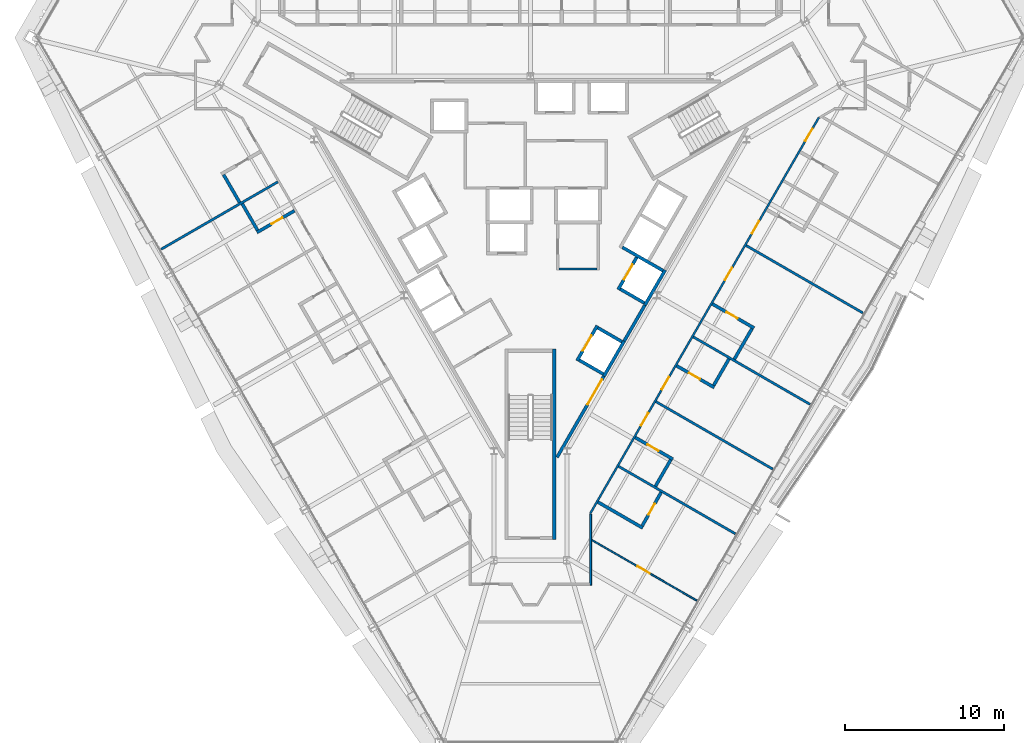
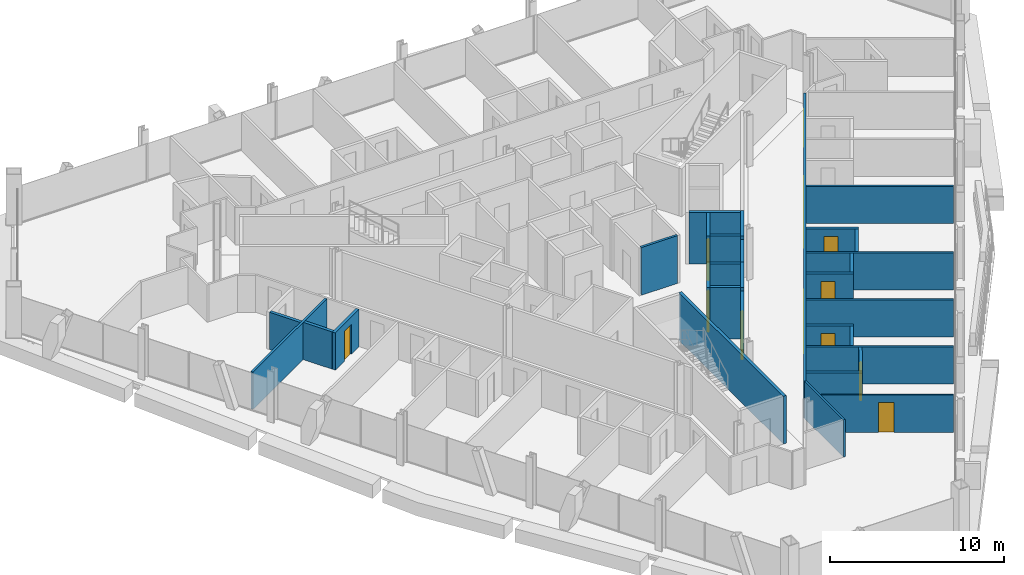
# One storey, part 14 of 20: 31 walls, 14 doors, 14 openings.
"""IFC4 building model written with IfcOpenShell, lengths in metres."""

from ifc_helpers import new_model, si_unit, direction, frame, frame_2d, origin, place, context, subcontext, project, spatial, rectangle, extrude, material, layer, layer_set, type_object, element, fill, save


model = new_model("IFC4")

# Units and contexts
model_context = context("Model", 3, precision=1e-05, world=origin(), true_north=direction((0.0, 1.0)))
body_context = subcontext(model_context, "Body", "Model", "MODEL_VIEW")
ifc_project = project(units=[si_unit("LENGTHUNIT", "METRE"), si_unit("AREAUNIT", "SQUARE_METRE"), si_unit("VOLUMEUNIT", "CUBIC_METRE"), si_unit("PLANEANGLEUNIT", "RADIAN"), si_unit("MASSUNIT", "GRAM", prefix="KILO")], contexts=[model_context])

# Site, building, storey
site_placement = place(None, origin())
site = spatial("IfcSite", under=ifc_project, at=site_placement, CompositionType="ELEMENT")
building_placement = place(site_placement, origin())
building = spatial("IfcBuilding", under=site, at=building_placement, Name="Verrane Prism Tower", CompositionType="ELEMENT")
storey_placement = place(building_placement, frame((0.0, 0.0, 69.199951171875)))
storey = spatial("IfcBuildingStorey", under=building, at=storey_placement, Name="L15", CompositionType="ELEMENT", Elevation=69.199951171875)

# Wall, opening, door
ifc_material_1 = material(Name="Gypsum board partition", Category="other")
ifc_layer_1 = layer(ifc_material_1, 0.199951171875)
ifc_layer_set_1 = layer_set([ifc_layer_1], Name="CW-200 core boundary wall 2 h")
wall_type_1 = type_object("IfcWallType", Name="CW-200 core boundary wall 2 h", PredefinedType="PARTITIONING", material=ifc_layer_set_1)
wall_1_placement = place(storey_placement, frame((1.677490234375, -14.814697265625, 0.0), z_axis=(0.0, 0.0, 1.0), x_axis=(0.49999445743, 0.866028603765, 0.0)))
wall_1 = element("IfcWall", 1, at=wall_1_placement, inside=storey, type_object=wall_type_1, Name="Core boundary wall CW3-003", PredefinedType="PARTITIONING", context=body_context, shape_type="SweptSolid", body=[
    extrude(rectangle(XDim=5.90478515625, YDim=0.199951171875, at=frame_2d((2.952392578125, 0.0))), origin(), (0.0, 0.0, 1.0), 3.35009765625),
])
opening_1_placement = place(wall_1_placement, frame((3.85498046875, 0.0, 0.0)))
opening_1 = element("IfcOpeningElement", 2, at=opening_1_placement, cuts=wall_1, Name="Opening D14517", PredefinedType="OPENING", context=body_context, shape_type="SweptSolid", body=[
    extrude(rectangle(XDim=1.800048828125, YDim=2.10009765625, at=frame_2d((0.89990234375, 1.050048828125))), frame((0.0, 0.10986328125, 0.0), z_axis=(0.0, -1.0, 0.0), x_axis=(1.0, 0.0, 0.0)), (0.0, 0.0, 1.0), 0.219970703125),
])
ifc_material_2 = material(Name="Timber veneered door leaf", Category="wood")
door_type_1 = type_object("IfcDoorType", Name="DR-1800x2100 FD60 double leaf lift lobby", OperationType="NOTDEFINED", PredefinedType="DOOR", material=ifc_material_2)
door_1_placement = place(opening_1_placement, origin())
door_1 = element("IfcDoor", 3, at=door_1_placement, inside=storey, type_object=door_type_1, Name="Lift lobby door D14517", OperationType="DOUBLE_DOOR_SINGLE_SWING", OverallHeight=2.10009765625, OverallWidth=1.800048828125, PredefinedType="DOOR", context=body_context, shape_type="SweptSolid", body=[
    extrude(rectangle(XDim=1.800048828125, YDim=2.10009765625, at=frame_2d((0.89990234375, 1.050048828125))), frame((0.0, 0.02490234375, 0.0), z_axis=(0.0, -1.0, 0.0), x_axis=(1.0, 0.0, 0.0)), (0.0, 0.0, 1.0), 0.050048828125),
])
fill(opening_1, door_1)

# Walls
wall_2_placement = place(storey_placement, frame((5.906005859375, -7.489990234375, 0.0), z_axis=(0.0, 0.0, 1.0), x_axis=(0.500252727967, 0.865879442048, 0.0)))
element("IfcWall", 4, at=wall_2_placement, inside=storey, type_object=wall_type_1, Name="Core boundary wall CW3-005", PredefinedType="PARTITIONING", context=body_context, shape_type="SweptSolid", body=[
    extrude(rectangle(XDim=2.616943359375, YDim=0.199951171875, at=frame_2d((1.30859375, 0.0))), origin(), (0.0, 0.0, 1.0), 3.35009765625),
])
ifc_material_3 = material(Name="Concrete C40/50", Category="concrete")
ifc_layer_2 = layer(ifc_material_3, 0.199951171875)
ifc_layer_set_2 = layer_set([ifc_layer_2], Name="CW-200 stair core wall concrete C40/50 3 h")
wall_type_2 = type_object("IfcWallType", Name="CW-200 stair core wall concrete C40/50 3 h", PredefinedType="PARTITIONING", material=ifc_layer_set_2)
wall_3_placement = place(storey_placement, frame((1.5, -8.0, 0.0), z_axis=(0.0, 0.0, 1.0), x_axis=(0.0, -1.0, 0.0)))
element("IfcWall", 5, at=wall_3_placement, inside=storey, type_object=wall_type_2, Name="Stair 3 enclosure wall", PredefinedType="PARTITIONING", context=body_context, shape_type="SweptSolid", body=[
    extrude(rectangle(XDim=12.0, YDim=0.199951171875, at=frame_2d((6.0, 0.0))), origin(), (0.0, 0.0, 1.0), 3.35009765625),
])
ifc_material_4 = material(Name="Gypsum board shaft wall assembly", Category="other")
ifc_layer_3 = layer(ifc_material_4, 0.199951171875)
ifc_layer_set_3 = layer_set([ifc_layer_3], Name="HW-200 lift shaft wall 2 h")
wall_type_3 = type_object("IfcWallType", Name="HW-200 lift shaft wall 2 h", PredefinedType="PARTITIONING", material=ifc_layer_set_3)
wall_4_placement = place(storey_placement, frame((4.63037109375, -9.69970703125, 0.0), z_axis=(0.0, 0.0, 1.0), x_axis=(0.500062241894, 0.865989465428, 0.0)))
element("IfcWall", 6, at=wall_4_placement, inside=storey, type_object=wall_type_3, Name="Lift shaft wall", PredefinedType="PARTITIONING", context=body_context, shape_type="SweptSolid", body=[
    extrude(rectangle(XDim=2.550048828125, YDim=0.199951171875, at=frame_2d((1.27490234375, 0.0))), origin(), (0.0, 0.0, 1.0), 3.60009765625),
])
wall_5_placement = place(storey_placement, frame((7.215576171875, -5.222412109375, 0.0), z_axis=(0.0, 0.0, 1.0), x_axis=(0.499990435942, 0.866030925526, 0.0)))
element("IfcWall", 7, at=wall_5_placement, inside=storey, type_object=wall_type_3, Name="Lift shaft wall", PredefinedType="PARTITIONING", context=body_context, shape_type="SweptSolid", body=[
    extrude(rectangle(XDim=2.5498046875, YDim=0.199951171875, at=frame_2d((1.27490234375, 0.0))), origin(), (0.0, 0.0, 1.0), 3.60009765625),
])

# Wall, opening, door
wall_6_placement = place(storey_placement, frame((2.941650390625, -8.724853515625, 0.0), z_axis=(0.0, 0.0, 1.0), x_axis=(0.500020783669, 0.866013403995, 0.0)))
wall_6 = element("IfcWall", 8, at=wall_6_placement, inside=storey, type_object=wall_type_3, Name="Lift shaft wall", PredefinedType="PARTITIONING", context=body_context, shape_type="SweptSolid", body=[
    extrude(rectangle(XDim=2.55029296875, YDim=0.199951171875, at=frame_2d((1.275146484375, 0.0))), origin(), (0.0, 0.0, 1.0), 3.60009765625),
])
opening_2_placement = place(wall_6_placement, frame((0.72509765625, 0.0, 0.0)))
opening_2 = element("IfcOpeningElement", 9, at=opening_2_placement, cuts=wall_6, Name="Opening D14506", PredefinedType="OPENING", context=body_context, shape_type="SweptSolid", body=[
    extrude(rectangle(XDim=1.10009765625, YDim=2.10009765625, at=frame_2d((0.550048828125, 1.050048828125))), frame((0.0, 0.10986328125, 0.0), z_axis=(0.0, -1.0, 0.0), x_axis=(1.0, 0.0, 0.0)), (0.0, 0.0, 1.0), 0.219970703125),
])
ifc_material_5 = material(Name="Stainless steel sliding landing door", Category="steel")
door_type_2 = type_object("IfcDoorType", Name="LD-1100x2100 lift landing door FD90 sliding", OperationType="NOTDEFINED", PredefinedType="DOOR", material=ifc_material_5)
door_2_placement = place(opening_2_placement, origin())
door_2 = element("IfcDoor", 10, at=door_2_placement, inside=storey, type_object=door_type_2, Name="Bank A lift 4 landing door", OperationType="SLIDING_TO_RIGHT", OverallHeight=2.10009765625, OverallWidth=1.10009765625, PredefinedType="DOOR", context=body_context, shape_type="SweptSolid", body=[
    extrude(rectangle(XDim=1.10009765625, YDim=2.10009765625, at=frame_2d((0.550048828125, 1.050048828125))), frame((0.0, 0.02490234375, 0.0), z_axis=(0.0, -1.0, 0.0), x_axis=(1.0, 0.0, 0.0)), (0.0, 0.0, 1.0), 0.050048828125),
])
fill(opening_2, door_2)

wall_7_placement = place(storey_placement, frame((5.52685546875, -4.247314453125, 0.0), z_axis=(0.0, 0.0, 1.0), x_axis=(0.499938297808, 0.866061024631, 0.0)))
wall_7 = element("IfcWall", 11, at=wall_7_placement, inside=storey, type_object=wall_type_3, Name="Lift shaft wall", PredefinedType="PARTITIONING", context=body_context, shape_type="SweptSolid", body=[
    extrude(rectangle(XDim=2.349853515625, YDim=0.199951171875, at=frame_2d((1.1748046875, 0.0))), origin(), (0.0, 0.0, 1.0), 3.60009765625),
])
opening_3_placement = place(wall_7_placement, frame((0.72509765625, 0.0, 0.0)))
opening_3 = element("IfcOpeningElement", 12, at=opening_3_placement, cuts=wall_7, Name="Opening D14507", PredefinedType="OPENING", context=body_context, shape_type="SweptSolid", body=[
    extrude(rectangle(XDim=1.10009765625, YDim=2.10009765625, at=frame_2d((0.550048828125, 1.050048828125))), frame((0.0, 0.10986328125, 0.0), z_axis=(0.0, -1.0, 0.0), x_axis=(1.0, 0.0, 0.0)), (0.0, 0.0, 1.0), 0.219970703125),
])
door_3_placement = place(opening_3_placement, origin())
door_3 = element("IfcDoor", 13, at=door_3_placement, inside=storey, type_object=door_type_2, Name="Bank A lift 5 landing door", OperationType="SLIDING_TO_LEFT", OverallHeight=2.10009765625, OverallWidth=1.10009765625, PredefinedType="DOOR", context=body_context, shape_type="SweptSolid", body=[
    extrude(rectangle(XDim=1.10009765625, YDim=2.10009765625, at=frame_2d((0.550048828125, 1.050048828125))), frame((0.0, 0.02490234375, 0.0), z_axis=(0.0, -1.0, 0.0), x_axis=(1.0, 0.0, 0.0)), (0.0, 0.0, 1.0), 0.050048828125),
])
fill(opening_3, door_3)

# Walls
wall_8_placement = place(storey_placement, frame((8.35400390625, -3.050537109375, 0.0), z_axis=(0.0, 0.0, 1.0), x_axis=(-0.866060182126, 0.499939757307, 0.0)))
element("IfcWall", 14, at=wall_8_placement, inside=storey, type_object=wall_type_3, Name="Lift shaft wall", PredefinedType="PARTITIONING", context=body_context, shape_type="SweptSolid", body=[
    extrude(rectangle(XDim=2.949951171875, YDim=0.199951171875, at=frame_2d((1.47509765625, 0.0))), origin(), (0.0, 0.0, 1.0), 3.60009765625),
])
wall_9_placement = place(storey_placement, frame((7.178955078125, -5.085693359375, 0.0), z_axis=(0.0, 0.0, 1.0), x_axis=(-0.866036909293, 0.499980071345, 0.0)))
element("IfcWall", 15, at=wall_9_placement, inside=storey, type_object=wall_type_3, Name="Lift shaft wall", PredefinedType="PARTITIONING", context=body_context, shape_type="SweptSolid", body=[
    extrude(rectangle(XDim=1.75, YDim=0.199951171875, at=frame_2d((0.875, 0.0))), origin(), (0.0, 0.0, 1.0), 3.60009765625),
])
wall_10_placement = place(storey_placement, frame((5.768798828125, -7.528076171875, 0.0), z_axis=(0.0, 0.0, 1.0), x_axis=(-0.866002029911, 0.500040482552, 0.0)))
element("IfcWall", 16, at=wall_10_placement, inside=storey, type_object=wall_type_3, Name="Lift shaft wall", PredefinedType="PARTITIONING", context=body_context, shape_type="SweptSolid", body=[
    extrude(rectangle(XDim=1.749755859375, YDim=0.199951171875, at=frame_2d((0.875, 0.0))), origin(), (0.0, 0.0, 1.0), 3.60009765625),
])
wall_11_placement = place(storey_placement, frame((4.593994140625, -9.563232421875, 0.0), z_axis=(0.0, 0.0, 1.0), x_axis=(-0.866036909293, 0.499980071345, 0.0)))
element("IfcWall", 17, at=wall_11_placement, inside=storey, type_object=wall_type_3, Name="Lift shaft wall", PredefinedType="PARTITIONING", context=body_context, shape_type="SweptSolid", body=[
    extrude(rectangle(XDim=1.75, YDim=0.199951171875, at=frame_2d((0.875, 0.0))), origin(), (0.0, 0.0, 1.0), 3.60009765625),
])

# Wall, opening, door
ifc_material_6 = material(Name="Gypsum board partition", Category="other")
ifc_layer_4 = layer(ifc_material_6, 0.10009765625)
ifc_layer_set_4 = layer_set([ifc_layer_4], Name="PW-100 room partition")
wall_type_4 = type_object("IfcWallType", Name="PW-100 room partition", PredefinedType="PARTITIONING", material=ifc_layer_set_4)
wall_12_placement = place(storey_placement, frame((3.884521484375, -20.027587890625, 0.0), z_axis=(0.0, 0.0, 1.0), x_axis=(0.866080975745, -0.499903734186, 0.0)))
wall_12 = element("IfcWall", 18, at=wall_12_placement, inside=storey, type_object=wall_type_4, Name="Room partition 055", PredefinedType="PARTITIONING", context=body_context, shape_type="SweptSolid", body=[
    extrude(rectangle(XDim=7.61669921875, YDim=0.10009765625, at=frame_2d((3.808349609375, 0.0))), origin(), (0.0, 0.0, 1.0), 2.613037109375),
])
opening_4_placement = place(wall_12_placement, frame((3.299072265625, 0.0, 0.0)))
opening_4 = element("IfcOpeningElement", 19, at=opening_4_placement, cuts=wall_12, Name="Opening D14002", PredefinedType="OPENING", context=body_context, shape_type="SweptSolid", body=[
    extrude(rectangle(XDim=0.89990234375, YDim=2.10009765625, at=frame_2d((0.449951171875, 1.050048828125))), frame((0.0, 0.06005859375, 0.0), z_axis=(0.0, -1.0, 0.0), x_axis=(1.0, 0.0, 0.0)), (0.0, 0.0, 1.0), 0.1201171875),
])
ifc_material_7 = material(Name="Timber veneered door leaf", Category="wood")
door_type_3 = type_object("IfcDoorType", Name="DR-900x2100 single leaf inner", OperationType="NOTDEFINED", PredefinedType="DOOR", material=ifc_material_7)
door_4_placement = place(opening_4_placement, origin())
door_4 = element("IfcDoor", 20, at=door_4_placement, inside=storey, type_object=door_type_3, Name="Suite Living Room door", OperationType="SINGLE_SWING_RIGHT", OverallHeight=2.10009765625, OverallWidth=0.89990234375, PredefinedType="DOOR", context=body_context, shape_type="SweptSolid", body=[
    extrude(rectangle(XDim=0.89990234375, YDim=2.10009765625, at=frame_2d((0.449951171875, 1.050048828125))), frame((0.0, 0.02490234375, 0.0), z_axis=(0.0, -1.0, 0.0), x_axis=(1.0, 0.0, 0.0)), (0.0, 0.0, 1.0), 0.050048828125),
])
fill(opening_4, door_4)

# Wall
ifc_material_8 = material(Name="Gypsum board partition", Category="other")
ifc_layer_5 = layer(ifc_material_8, 0.125)
ifc_layer_set_5 = layer_set([ifc_layer_5], Name="PW-125 corridor wall 1 h")
wall_type_5 = type_object("IfcWallType", Name="PW-125 corridor wall 1 h", PredefinedType="PARTITIONING", material=ifc_layer_set_5)
wall_13_placement = place(storey_placement, frame((3.797119140625, -22.859619140625, 0.0), z_axis=(0.0, 0.0, 1.0), x_axis=(0.0, 1.0, 0.0)))
element("IfcWall", 21, at=wall_13_placement, inside=storey, type_object=wall_type_5, Name="Corridor wall 054", PredefinedType="PARTITIONING", context=body_context, shape_type="SweptSolid", body=[
    extrude(rectangle(XDim=4.470703125, YDim=0.125, at=frame_2d((2.2353515625, 0.0))), origin(), (0.0, 0.0, 1.0), 2.613037109375),
])

# Wall, openings, doors
wall_14_placement = place(storey_placement, frame((18.17919921875, 6.606201171875, 0.0), z_axis=(0.0, 0.0, 1.0), x_axis=(-0.500003973642, -0.866023109589, 0.0)))
wall_14 = element("IfcWall", 22, at=wall_14_placement, inside=storey, type_object=wall_type_5, Name="Corridor wall 056", PredefinedType="PARTITIONING", context=body_context, shape_type="SweptSolid", body=[
    extrude(rectangle(XDim=28.826416015625, YDim=0.125, at=frame_2d((14.4130859375, 0.0))), origin(), (0.0, 0.0, 1.0), 2.613037109375),
])
opening_5_placement = place(wall_14_placement, frame((21.5009765625, 0.0, 0.0)))
opening_5 = element("IfcOpeningElement", 23, at=opening_5_placement, cuts=wall_14, Name="Opening D14004", PredefinedType="OPENING", context=body_context, shape_type="SweptSolid", body=[
    extrude(rectangle(XDim=0.89990234375, YDim=2.10009765625, at=frame_2d((0.449951171875, 1.050048828125))), frame((0.0, 0.072509765625, 0.0), z_axis=(0.0, -1.0, 0.0), x_axis=(1.0, 0.0, 0.0)), (0.0, 0.0, 1.0), 0.14501953125),
])
opening_6_placement = place(wall_14_placement, frame((18.89404296875, 0.0, 0.0)))
opening_6 = element("IfcOpeningElement", 24, at=opening_6_placement, cuts=wall_14, Name="Opening D14006", PredefinedType="OPENING", context=body_context, shape_type="SweptSolid", body=[
    extrude(rectangle(XDim=0.89990234375, YDim=2.10009765625, at=frame_2d((0.449951171875, 1.050048828125))), frame((0.0, 0.072509765625, 0.0), z_axis=(0.0, -1.0, 0.0), x_axis=(1.0, 0.0, 0.0)), (0.0, 0.0, 1.0), 0.14501953125),
])
opening_7_placement = place(wall_14_placement, frame((10.93701171875, 0.0, 0.0)))
opening_7 = element("IfcOpeningElement", 25, at=opening_7_placement, cuts=wall_14, Name="Opening D14008", PredefinedType="OPENING", context=body_context, shape_type="SweptSolid", body=[
    extrude(rectangle(XDim=0.89990234375, YDim=2.10009765625, at=frame_2d((0.449951171875, 1.050048828125))), frame((0.0, 0.072509765625, 0.0), z_axis=(0.0, -1.0, 0.0), x_axis=(1.0, 0.0, 0.0)), (0.0, 0.0, 1.0), 0.14501953125),
])
opening_8_placement = place(wall_14_placement, frame((7.534912109375, 0.0, 0.0)))
opening_8 = element("IfcOpeningElement", 26, at=opening_8_placement, cuts=wall_14, Name="Opening D14010", PredefinedType="OPENING", context=body_context, shape_type="SweptSolid", body=[
    extrude(rectangle(XDim=0.89990234375, YDim=2.10009765625, at=frame_2d((0.449951171875, 1.050048828125))), frame((0.0, 0.072509765625, 0.0), z_axis=(0.0, -1.0, 0.0), x_axis=(1.0, 0.0, 0.0)), (0.0, 0.0, 1.0), 0.14501953125),
])
opening_9_placement = place(wall_14_placement, frame((0.826904296875, 0.0, 0.0)))
opening_9 = element("IfcOpeningElement", 27, at=opening_9_placement, cuts=wall_14, Name="Opening D14012", PredefinedType="OPENING", context=body_context, shape_type="SweptSolid", body=[
    extrude(rectangle(XDim=0.89990234375, YDim=2.10009765625, at=frame_2d((0.449951171875, 1.050048828125))), frame((0.0, 0.072509765625, 0.0), z_axis=(0.0, -1.0, 0.0), x_axis=(1.0, 0.0, 0.0)), (0.0, 0.0, 1.0), 0.14501953125),
])
ifc_material_9 = material(Name="Timber veneered door leaf", Category="wood")
door_type_4 = type_object("IfcDoorType", Name="DR-900x2100 FD20 single leaf unit", OperationType="NOTDEFINED", PredefinedType="DOOR", material=ifc_material_9)
door_5_placement = place(opening_5_placement, origin())
door_5 = element("IfcDoor", 28, at=door_5_placement, inside=storey, type_object=door_type_4, Name="Guest Room door", OperationType="SINGLE_SWING_LEFT", OverallHeight=2.10009765625, OverallWidth=0.89990234375, PredefinedType="DOOR", context=body_context, shape_type="SweptSolid", body=[
    extrude(rectangle(XDim=0.89990234375, YDim=2.10009765625, at=frame_2d((0.449951171875, 1.050048828125))), frame((0.0, 0.02490234375, 0.0), z_axis=(0.0, -1.0, 0.0), x_axis=(1.0, 0.0, 0.0)), (0.0, 0.0, 1.0), 0.050048828125),
])
fill(opening_5, door_5)
door_6_placement = place(opening_6_placement, origin())
door_6 = element("IfcDoor", 29, at=door_6_placement, inside=storey, type_object=door_type_4, Name="Guest Room door", OperationType="SINGLE_SWING_LEFT", OverallHeight=2.10009765625, OverallWidth=0.89990234375, PredefinedType="DOOR", context=body_context, shape_type="SweptSolid", body=[
    extrude(rectangle(XDim=0.89990234375, YDim=2.10009765625, at=frame_2d((0.449951171875, 1.050048828125))), frame((0.0, 0.02490234375, 0.0), z_axis=(0.0, -1.0, 0.0), x_axis=(1.0, 0.0, 0.0)), (0.0, 0.0, 1.0), 0.050048828125),
])
fill(opening_6, door_6)
door_7_placement = place(opening_7_placement, origin())
door_7 = element("IfcDoor", 30, at=door_7_placement, inside=storey, type_object=door_type_4, Name="Junior Suite door", OperationType="SINGLE_SWING_LEFT", OverallHeight=2.10009765625, OverallWidth=0.89990234375, PredefinedType="DOOR", context=body_context, shape_type="SweptSolid", body=[
    extrude(rectangle(XDim=0.89990234375, YDim=2.10009765625, at=frame_2d((0.449951171875, 1.050048828125))), frame((0.0, 0.02490234375, 0.0), z_axis=(0.0, -1.0, 0.0), x_axis=(1.0, 0.0, 0.0)), (0.0, 0.0, 1.0), 0.050048828125),
])
fill(opening_7, door_7)
door_8_placement = place(opening_8_placement, origin())
door_8 = element("IfcDoor", 31, at=door_8_placement, inside=storey, type_object=door_type_4, Name="Guest Room door", OperationType="SINGLE_SWING_LEFT", OverallHeight=2.10009765625, OverallWidth=0.89990234375, PredefinedType="DOOR", context=body_context, shape_type="SweptSolid", body=[
    extrude(rectangle(XDim=0.89990234375, YDim=2.10009765625, at=frame_2d((0.449951171875, 1.050048828125))), frame((0.0, 0.02490234375, 0.0), z_axis=(0.0, -1.0, 0.0), x_axis=(1.0, 0.0, 0.0)), (0.0, 0.0, 1.0), 0.050048828125),
])
fill(opening_8, door_8)
door_9_placement = place(opening_9_placement, origin())
door_9 = element("IfcDoor", 32, at=door_9_placement, inside=storey, type_object=door_type_4, Name="Guest Room door", OperationType="SINGLE_SWING_LEFT", OverallHeight=2.10009765625, OverallWidth=0.89990234375, PredefinedType="DOOR", context=body_context, shape_type="SweptSolid", body=[
    extrude(rectangle(XDim=0.89990234375, YDim=2.10009765625, at=frame_2d((0.449951171875, 1.050048828125))), frame((0.0, 0.02490234375, 0.0), z_axis=(0.0, -1.0, 0.0), x_axis=(1.0, 0.0, 0.0)), (0.0, 0.0, 1.0), 0.050048828125),
])
fill(opening_9, door_9)

# Walls
ifc_material_10 = material(Name="Gypsum board partition", Category="other")
ifc_layer_6 = layer(ifc_material_10, 0.14990234375)
ifc_layer_set_6 = layer_set([ifc_layer_6], Name="PW-150 demising wall 1 h")
wall_type_6 = type_object("IfcWallType", Name="PW-150 demising wall 1 h", PredefinedType="PARTITIONING", material=ifc_layer_set_6)
wall_15_placement = place(storey_placement, frame((-23.26025390625, -1.701171875, 0.0), z_axis=(0.0, 0.0, 1.0), x_axis=(0.866027021296, 0.499997198377, 0.0)))
element("IfcWall", 33, at=wall_15_placement, inside=storey, type_object=wall_type_6, Name="Demising wall 003", PredefinedType="PARTITIONING", context=body_context, shape_type="SweptSolid", body=[
    extrude(rectangle(XDim=8.48681640625, YDim=0.14990234375, at=frame_2d((4.243408203125, 0.0))), origin(), (0.0, 0.0, 1.0), 2.613037109375),
])
wall_16_placement = place(storey_placement, frame((5.55810546875, -15.38037109375, 0.0), z_axis=(0.0, 0.0, 1.0), x_axis=(0.866022790583, -0.50000452617, 0.0)))
element("IfcWall", 34, at=wall_16_placement, inside=storey, type_object=wall_type_6, Name="Demising wall 060", PredefinedType="PARTITIONING", context=body_context, shape_type="SweptSolid", body=[
    extrude(rectangle(XDim=8.4912109375, YDim=0.14990234375, at=frame_2d((4.24560546875, 0.0))), origin(), (0.0, 0.0, 1.0), 2.613037109375),
])
for number, where, z_axis, x_axis, name in (
    (35, (7.9111328125, -11.30322265625, 0.0), (0.0, 0.0, 1.0), (0.866012267213, -0.500022752519, 0.0), "Demising wall 065"),
    (36, (10.26513671875, -7.226318359375, 0.0), (0.0, 0.0, 1.0), (0.866024716685, -0.500001190089, 0.0), "Demising wall 068"),
):
    element("IfcWall", number, at=place(storey_placement, frame(where, z_axis=z_axis, x_axis=x_axis)), inside=storey, type_object=wall_type_6, Name=name, PredefinedType="PARTITIONING", context=body_context, shape_type="SweptSolid", body=[
        extrude(rectangle(XDim=8.49169921875, YDim=0.14990234375, at=frame_2d((4.245849609375, 0.0))), origin(), (0.0, 0.0, 1.0), 2.613037109375),
    ])
wall_17_placement = place(storey_placement, frame((13.591064453125, -1.46630859375, 0.0), z_axis=(0.0, 0.0, 1.0), x_axis=(0.866022790583, -0.50000452617, 0.0)))
element("IfcWall", 37, at=wall_17_placement, inside=storey, type_object=wall_type_6, Name="Demising wall 074", PredefinedType="PARTITIONING", context=body_context, shape_type="SweptSolid", body=[
    extrude(rectangle(XDim=8.4912109375, YDim=0.14990234375, at=frame_2d((4.24560546875, 0.0))), origin(), (0.0, 0.0, 1.0), 2.613037109375),
])
ifc_material_11 = material(Name="Gypsum board partition", Category="other")
ifc_layer_7 = layer(ifc_material_11, 0.199951171875)
ifc_layer_set_7 = layer_set([ifc_layer_7], Name="PW-200 plumbing wall")
wall_type_7 = type_object("IfcWallType", Name="PW-200 plumbing wall", PredefinedType="PARTITIONING", material=ifc_layer_set_7)
wall_18_placement = place(storey_placement, frame((-19.326904296875, 2.994384765625, 0.0), z_axis=(0.0, 0.0, 1.0), x_axis=(0.500042536776, -0.866000843773, 0.0)))
element("IfcWall", 38, at=wall_18_placement, inside=storey, type_object=wall_type_7, Name="Plumbing wall 011", PredefinedType="PARTITIONING", context=body_context, shape_type="SweptSolid", body=[
    extrude(rectangle(XDim=2.024658203125, YDim=0.199951171875, at=frame_2d((1.01220703125, 0.0))), origin(), (0.0, 0.0, 1.0), 2.613037109375),
])
wall_19_placement = place(storey_placement, frame((-18.152587890625, 1.1611328125, 0.0), z_axis=(0.0, 0.0, 1.0), x_axis=(0.499971247393, -0.866042003473, 0.0)))
element("IfcWall", 39, at=wall_19_placement, inside=storey, type_object=wall_type_7, Name="Plumbing wall 017", PredefinedType="PARTITIONING", context=body_context, shape_type="SweptSolid", body=[
    extrude(rectangle(XDim=1.92529296875, YDim=0.199951171875, at=frame_2d((0.962646484375, 0.0))), origin(), (0.0, 0.0, 1.0), 2.613037109375),
])

# Wall, opening, door
wall_20_placement = place(storey_placement, frame((-17.2265625, -0.64306640625, 0.0), z_axis=(0.0, 0.0, 1.0), x_axis=(0.866012976267, 0.500021524473, 0.0)))
wall_20 = element("IfcWall", 40, at=wall_20_placement, inside=storey, type_object=wall_type_7, Name="Plumbing wall 021", PredefinedType="PARTITIONING", context=body_context, shape_type="SweptSolid", body=[
    extrude(rectangle(XDim=2.732421875, YDim=0.199951171875, at=frame_2d((1.3662109375, 0.0))), origin(), (0.0, 0.0, 1.0), 2.613037109375),
])
opening_10_placement = place(wall_20_placement, frame((1.050048828125, 0.0, 0.0)))
opening_10 = element("IfcOpeningElement", 41, at=opening_10_placement, cuts=wall_20, Name="Opening D14035", PredefinedType="OPENING", context=body_context, shape_type="SweptSolid", body=[
    extrude(rectangle(XDim=0.800048828125, YDim=2.10009765625, at=frame_2d((0.39990234375, 1.050048828125))), frame((0.0, 0.10986328125, 0.0), z_axis=(0.0, -1.0, 0.0), x_axis=(1.0, 0.0, 0.0)), (0.0, 0.0, 1.0), 0.219970703125),
])
ifc_material_12 = material(Name="Timber veneered door leaf", Category="wood")
door_type_5 = type_object("IfcDoorType", Name="DR-800x2100 single leaf bath", OperationType="NOTDEFINED", PredefinedType="DOOR", material=ifc_material_12)
door_10_placement = place(opening_10_placement, origin())
door_10 = element("IfcDoor", 42, at=door_10_placement, inside=storey, type_object=door_type_5, Name="En-Suite door", OperationType="SINGLE_SWING_LEFT", OverallHeight=2.10009765625, OverallWidth=0.800048828125, PredefinedType="DOOR", context=body_context, shape_type="SweptSolid", body=[
    extrude(rectangle(XDim=0.800048828125, YDim=2.10009765625, at=frame_2d((0.39990234375, 1.050048828125))), frame((0.0, 0.02490234375, 0.0), z_axis=(0.0, -1.0, 0.0), x_axis=(1.0, 0.0, 0.0)), (0.0, 0.0, 1.0), 0.050048828125),
])
fill(opening_10, door_10)

# Wall
wall_21_placement = place(storey_placement, frame((4.258056640625, -17.63134765625, 0.0), z_axis=(0.0, 0.0, 1.0), x_axis=(0.865982457891, -0.500074377092, 0.0)))
element("IfcWall", 43, at=wall_21_placement, inside=storey, type_object=wall_type_7, Name="Plumbing wall 059", PredefinedType="PARTITIONING", context=body_context, shape_type="SweptSolid", body=[
    extrude(rectangle(XDim=3.2626953125, YDim=0.199951171875, at=frame_2d((1.63134765625, 0.0))), origin(), (0.0, 0.0, 1.0), 2.613037109375),
])

# Wall, opening, door
wall_22_placement = place(storey_placement, frame((8.978515625, -14.929931640625, 0.0), z_axis=(0.0, 0.0, 1.0), x_axis=(-0.866005850709, 0.50003386539, 0.0)))
wall_22 = element("IfcWall", 44, at=wall_22_placement, inside=storey, type_object=wall_type_7, Name="Plumbing wall 062", PredefinedType="PARTITIONING", context=body_context, shape_type="SweptSolid", body=[
    extrude(rectangle(XDim=2.737060546875, YDim=0.199951171875, at=frame_2d((1.36865234375, 0.0))), origin(), (0.0, 0.0, 1.0), 2.613037109375),
])
opening_11_placement = place(wall_22_placement, frame((1.0498046875, 0.0, 0.0)))
opening_11 = element("IfcOpeningElement", 45, at=opening_11_placement, cuts=wall_22, Name="Opening D14005", PredefinedType="OPENING", context=body_context, shape_type="SweptSolid", body=[
    extrude(rectangle(XDim=0.800048828125, YDim=2.10009765625, at=frame_2d((0.39990234375, 1.050048828125))), frame((0.0, 0.10986328125, 0.0), z_axis=(0.0, -1.0, 0.0), x_axis=(1.0, 0.0, 0.0)), (0.0, 0.0, 1.0), 0.219970703125),
])
door_11_placement = place(opening_11_placement, origin())
door_11 = element("IfcDoor", 46, at=door_11_placement, inside=storey, type_object=door_type_5, Name="En-Suite door", OperationType="SINGLE_SWING_RIGHT", OverallHeight=2.10009765625, OverallWidth=0.800048828125, PredefinedType="DOOR", context=body_context, shape_type="SweptSolid", body=[
    extrude(rectangle(XDim=0.800048828125, YDim=2.10009765625, at=frame_2d((0.39990234375, 1.050048828125))), frame((0.0, 0.02490234375, 0.0), z_axis=(0.0, -1.0, 0.0), x_axis=(1.0, 0.0, 0.0)), (0.0, 0.0, 1.0), 0.050048828125),
])
fill(opening_11, door_11)

wall_23_placement = place(storey_placement, frame((7.048583984375, -19.12158203125, 0.0), z_axis=(0.0, 0.0, 1.0), x_axis=(0.491544985814, 0.870852184312, 0.0)))
wall_23 = element("IfcWall", 47, at=wall_23_placement, inside=storey, type_object=wall_type_7, Name="Plumbing wall 063", PredefinedType="PARTITIONING", context=body_context, shape_type="SweptSolid", body=[
    extrude(rectangle(XDim=2.4189453125, YDim=0.199951171875, at=frame_2d((1.20947265625, 0.0))), origin(), (0.0, 0.0, 1.0), 2.613037109375),
])
opening_12_placement = place(wall_23_placement, frame((0.794921875, 0.0, 0.0)))
opening_12 = element("IfcOpeningElement", 48, at=opening_12_placement, cuts=wall_23, Name="Opening D14003", PredefinedType="OPENING", context=body_context, shape_type="SweptSolid", body=[
    extrude(rectangle(XDim=0.800048828125, YDim=2.10009765625, at=frame_2d((0.39990234375, 1.050048828125))), frame((0.0, 0.10986328125, 0.0), z_axis=(0.0, -1.0, 0.0), x_axis=(1.0, 0.0, 0.0)), (0.0, 0.0, 1.0), 0.219970703125),
])
door_12_placement = place(opening_12_placement, origin())
door_12 = element("IfcDoor", 49, at=door_12_placement, inside=storey, type_object=door_type_5, Name="En-Suite door", OperationType="SINGLE_SWING_LEFT", OverallHeight=2.10009765625, OverallWidth=0.800048828125, PredefinedType="DOOR", context=body_context, shape_type="SweptSolid", body=[
    extrude(rectangle(XDim=0.800048828125, YDim=2.10009765625, at=frame_2d((0.39990234375, 1.050048828125))), frame((0.0, 0.02490234375, 0.0), z_axis=(0.0, -1.0, 0.0), x_axis=(1.0, 0.0, 0.0)), (0.0, 0.0, 1.0), 0.050048828125),
])
fill(opening_12, door_12)

# Wall
wall_24_placement = place(storey_placement, frame((7.882080078125, -16.629638671875, 0.0), z_axis=(0.0, 0.0, 1.0), x_axis=(0.499913221443, 0.866075499611, 0.0)))
element("IfcWall", 50, at=wall_24_placement, inside=storey, type_object=wall_type_7, Name="Plumbing wall 064", PredefinedType="PARTITIONING", context=body_context, shape_type="SweptSolid", body=[
    extrude(rectangle(XDim=1.920166015625, YDim=0.199951171875, at=frame_2d((0.9599609375, 0.0))), origin(), (0.0, 0.0, 1.0), 2.613037109375),
])

# Wall, opening, door
wall_25_placement = place(storey_placement, frame((9.215087890625, -9.045166015625, 0.0), z_axis=(0.0, 0.0, 1.0), x_axis=(0.865989529477, -0.500062130976, 0.0)))
wall_25 = element("IfcWall", 51, at=wall_25_placement, inside=storey, type_object=wall_type_7, Name="Plumbing wall 067", PredefinedType="PARTITIONING", context=body_context, shape_type="SweptSolid", body=[
    extrude(rectangle(XDim=2.737548828125, YDim=0.199951171875, at=frame_2d((1.36865234375, 0.0))), origin(), (0.0, 0.0, 1.0), 2.613037109375),
])
opening_13_placement = place(wall_25_placement, frame((0.887451171875, 0.0, 0.0)))
opening_13 = element("IfcOpeningElement", 52, at=opening_13_placement, cuts=wall_25, Name="Opening D14007", PredefinedType="OPENING", context=body_context, shape_type="SweptSolid", body=[
    extrude(rectangle(XDim=0.800048828125, YDim=2.10009765625, at=frame_2d((0.39990234375, 1.050048828125))), frame((0.0, 0.10986328125, 0.0), z_axis=(0.0, -1.0, 0.0), x_axis=(1.0, 0.0, 0.0)), (0.0, 0.0, 1.0), 0.219970703125),
])
door_13_placement = place(opening_13_placement, origin())
door_13 = element("IfcDoor", 53, at=door_13_placement, inside=storey, type_object=door_type_5, Name="En-Suite door", OperationType="SINGLE_SWING_LEFT", OverallHeight=2.10009765625, OverallWidth=0.800048828125, PredefinedType="DOOR", context=body_context, shape_type="SweptSolid", body=[
    extrude(rectangle(XDim=0.800048828125, YDim=2.10009765625, at=frame_2d((0.39990234375, 1.050048828125))), frame((0.0, 0.02490234375, 0.0), z_axis=(0.0, -1.0, 0.0), x_axis=(1.0, 0.0, 0.0)), (0.0, 0.0, 1.0), 0.050048828125),
])
fill(opening_13, door_13)

wall_26_placement = place(storey_placement, frame((14.095703125, -6.6669921875, 0.0), z_axis=(0.0, 0.0, 1.0), x_axis=(-0.866023634079, 0.500003065207, 0.0)))
wall_26 = element("IfcWall", 54, at=wall_26_placement, inside=storey, type_object=wall_type_7, Name="Plumbing wall 069", PredefinedType="PARTITIONING", context=body_context, shape_type="SweptSolid", body=[
    extrude(rectangle(XDim=3.03759765625, YDim=0.199951171875, at=frame_2d((1.518798828125, 0.0))), origin(), (0.0, 0.0, 1.0), 2.613037109375),
])
opening_14_placement = place(wall_26_placement, frame((1.199951171875, 0.0, 0.0)))
opening_14 = element("IfcOpeningElement", 55, at=opening_14_placement, cuts=wall_26, Name="Opening D14009", PredefinedType="OPENING", context=body_context, shape_type="SweptSolid", body=[
    extrude(rectangle(XDim=0.800048828125, YDim=2.10009765625, at=frame_2d((0.39990234375, 1.050048828125))), frame((0.0, 0.10986328125, 0.0), z_axis=(0.0, -1.0, 0.0), x_axis=(1.0, 0.0, 0.0)), (0.0, 0.0, 1.0), 0.219970703125),
])
door_14_placement = place(opening_14_placement, origin())
door_14 = element("IfcDoor", 56, at=door_14_placement, inside=storey, type_object=door_type_5, Name="En-Suite door", OperationType="SINGLE_SWING_RIGHT", OverallHeight=2.10009765625, OverallWidth=0.800048828125, PredefinedType="DOOR", context=body_context, shape_type="SweptSolid", body=[
    extrude(rectangle(XDim=0.800048828125, YDim=2.10009765625, at=frame_2d((0.39990234375, 1.050048828125))), frame((0.0, 0.02490234375, 0.0), z_axis=(0.0, -1.0, 0.0), x_axis=(1.0, 0.0, 0.0)), (0.0, 0.0, 1.0), 0.050048828125),
])
fill(opening_14, door_14)

# Walls
wall_27_placement = place(storey_placement, frame((11.549072265625, -10.27734375, 0.0), z_axis=(0.0, 0.0, 1.0), x_axis=(0.499876134923, 0.86609690551, 0.0)))
element("IfcWall", 57, at=wall_27_placement, inside=storey, type_object=wall_type_7, Name="Plumbing wall 070", PredefinedType="PARTITIONING", context=body_context, shape_type="SweptSolid", body=[
    extrude(rectangle(XDim=1.92529296875, YDim=0.199951171875, at=frame_2d((0.962646484375, 0.0))), origin(), (0.0, 0.0, 1.0), 2.613037109375),
])
wall_28_placement = place(storey_placement, frame((12.846435546875, -8.630126953125, 0.0), z_axis=(0.0, 0.0, 1.0), x_axis=(0.500092923031, 0.865971748, 0.0)))
element("IfcWall", 58, at=wall_28_placement, inside=storey, type_object=wall_type_7, Name="Plumbing wall 071", PredefinedType="PARTITIONING", context=body_context, shape_type="SweptSolid", body=[
    extrude(rectangle(XDim=2.224609375, YDim=0.199951171875, at=frame_2d((1.1123046875, 0.0))), origin(), (0.0, 0.0, 1.0), 2.613037109375),
])
ifc_material_13 = material(Name="Gypsum board partition", Category="other")
ifc_layer_8 = layer(ifc_material_13, 0.14990234375)
ifc_layer_set_8 = layer_set([ifc_layer_8], Name="RS-150 riser enclosure wall 1 h")
wall_type_8 = type_object("IfcWallType", Name="RS-150 riser enclosure wall 1 h", PredefinedType="PARTITIONING", material=ifc_layer_set_8)
wall_29_placement = place(storey_placement, frame((1.800048828125, -2.949951171875, 0.0), z_axis=(0.0, 0.0, 1.0), x_axis=(1.0, 0.0, 0.0)))
element("IfcWall", 59, at=wall_29_placement, inside=storey, type_object=wall_type_8, Name="Riser wall RS3-008", PredefinedType="PARTITIONING", context=body_context, shape_type="SweptSolid", body=[
    extrude(rectangle(XDim=2.39990234375, YDim=0.14990234375, at=frame_2d((1.199951171875, 0.0))), origin(), (0.0, 0.0, 1.0), 3.35009765625),
])

save(model, "model.ifc")
